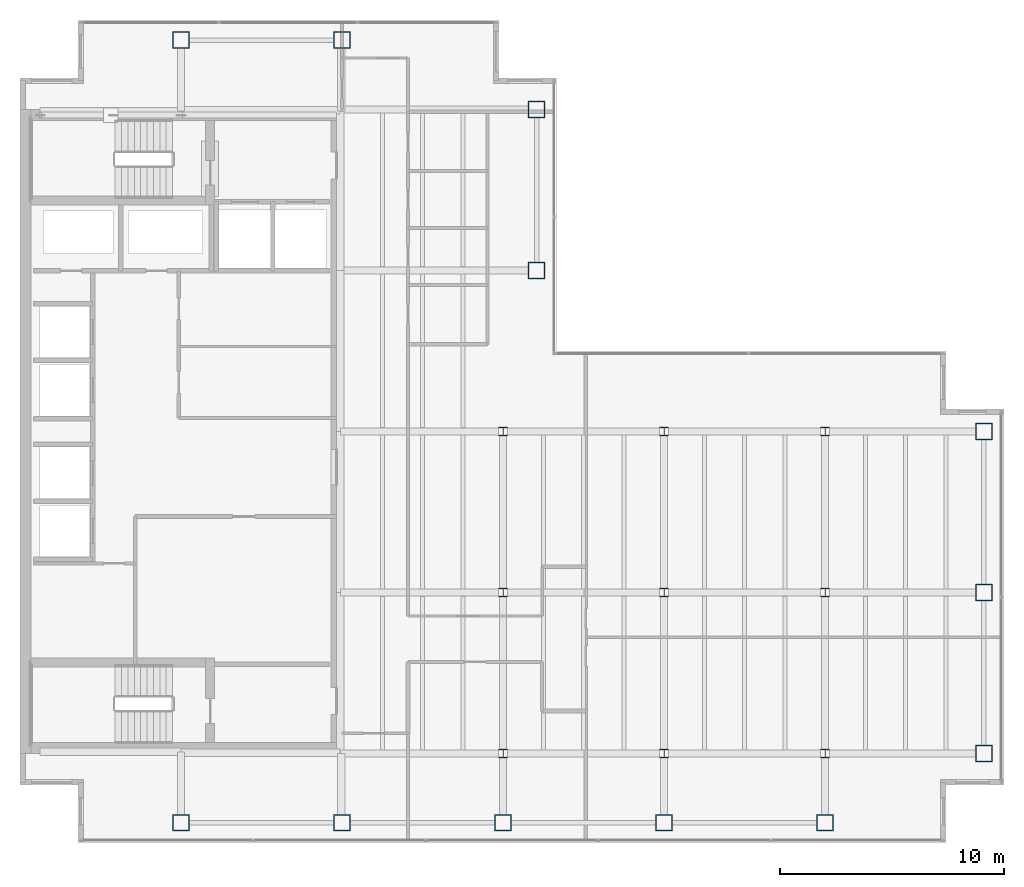
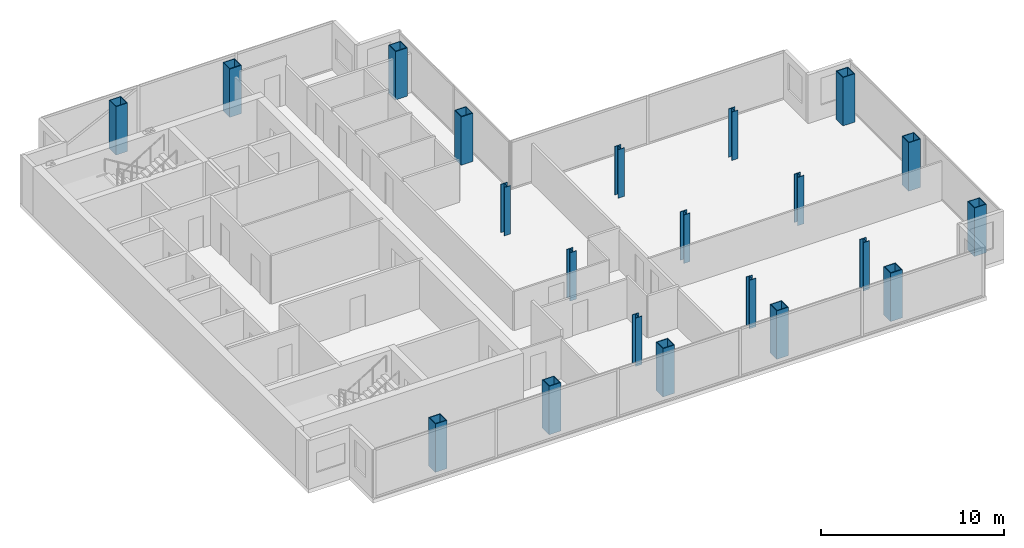
# One storey, part 1 of 23: 21 columns.
"""IFC4 building model written with IfcOpenShell, lengths in metres."""

from ifc_helpers import new_model, si_unit, direction, frame, origin, origin_2d, place, context, subcontext, project, spatial, hollow_rectangle, i_section, extrude, material, material_profile, profile_set, type_object, element, save


model = new_model("IFC4")

# Units and contexts
model_context = context("Model", 3, precision=1e-05, world=origin(), true_north=direction((0.0, 1.0)))
body_context = subcontext(model_context, "Body", "Model", "MODEL_VIEW")
ifc_project = project(units=[si_unit("LENGTHUNIT", "METRE"), si_unit("AREAUNIT", "SQUARE_METRE"), si_unit("VOLUMEUNIT", "CUBIC_METRE"), si_unit("PLANEANGLEUNIT", "RADIAN"), si_unit("MASSUNIT", "GRAM", prefix="KILO")], contexts=[model_context])

# Site, building, storey
site_placement = place(None, origin())
site = spatial("IfcSite", under=ifc_project, at=site_placement, CompositionType="ELEMENT")
building_placement = place(site_placement, origin())
building = spatial("IfcBuilding", under=site, at=building_placement, Name="Cobrela Telecom Tower", CompositionType="ELEMENT")
storey_placement = place(building_placement, frame((0.0, 0.0, 204.75)))
storey = spatial("IfcBuildingStorey", under=building, at=storey_placement, Name="L52", CompositionType="ELEMENT", Elevation=204.75)

# Columns
ifc_material_1 = material(Name="Steel ASTM A992 Grade 50", Category="steel")
ifc_material_profile_1 = material_profile(ifc_material_1, i_section(OverallWidth=0.39892578125, OverallDepth=0.39404296875, WebThickness=0.022705078125, FlangeThickness=0.03662109375, FilletRadius=0.01806640625, at=origin_2d()), Name="W14X193")
ifc_profile_set_1 = profile_set([ifc_material_profile_1], Name="Steel ASTM A992 Grade 50")
column_type_1 = type_object("IfcColumnType", Name="COL-INT-06", PredefinedType="COLUMN", material=ifc_profile_set_1)
for number, where, z_axis, x_axis, name in (
    (1, (21.60009765625, 7.199951171875, 0.0), (0.0, 0.0, 1.0), (1.0, 0.0, 0.0), "L52 Interior Column 06"),
    (2, (21.60009765625, 14.39990234375, 0.0), (0.0, 0.0, 1.0), (1.0, 0.0, 0.0), "L52 Interior Column 07"),
    (3, (21.60009765625, 21.60009765625, 0.0), (0.0, 0.0, 1.0), (1.0, 0.0, 0.0), "L52 Interior Column 08"),
    (4, (28.800048828125, 7.199951171875, 0.0), (0.0, 0.0, 1.0), (1.0, 0.0, 0.0), "L52 Interior Column 12"),
    (5, (28.800048828125, 14.39990234375, 0.0), (0.0, 0.0, 1.0), (1.0, 0.0, 0.0), "L52 Interior Column 13"),
    (6, (28.800048828125, 21.60009765625, 0.0), (0.0, 0.0, 1.0), (1.0, 0.0, 0.0), "L52 Interior Column 14"),
    (7, (36.0, 7.199951171875, 0.0), (0.0, 0.0, 1.0), (1.0, 0.0, 0.0), "L52 Interior Column 16"),
    (8, (36.0, 14.39990234375, 0.0), (0.0, 0.0, 1.0), (1.0, 0.0, 0.0), "L52 Interior Column 17"),
    (9, (36.0, 21.60009765625, 0.0), (0.0, 0.0, 1.0), (1.0, 0.0, 0.0), "L52 Interior Column 18"),
):
    element("IfcColumn", number, at=place(storey_placement, frame(where, z_axis=z_axis, x_axis=x_axis)), inside=storey, type_object=column_type_1, Name=name, PredefinedType="COLUMN", context=body_context, shape_type="SweptSolid", body=[
        extrude(i_section(OverallWidth=0.39892578125, OverallDepth=0.39404296875, WebThickness=0.022705078125, FlangeThickness=0.03662109375, FilletRadius=0.01806640625, at=origin_2d()), origin(), (0.0, 0.0, 1.0), 3.239990234375),
    ])
ifc_material_2 = material(Name="Steel ASTM A572 Grade 50", Category="steel")
ifc_material_profile_2 = material_profile(ifc_material_2, hollow_rectangle(XDim=0.75, YDim=0.75, WallThickness=0.044921875, at=origin_2d()), Name="BOX 750x750x45")
ifc_profile_set_2 = profile_set([ifc_material_profile_2], Name="Steel ASTM A572 Grade 50")
column_type_2 = type_object("IfcColumnType", Name="COL-MEGA-08", PredefinedType="COLUMN", material=ifc_profile_set_2)
for number, where, z_axis, x_axis, name in (
    (10, (7.199951171875, 4.10009765625, 0.0), (0.0, 0.0, 1.0), (1.0, 0.0, 0.0), "L52 Perimeter Mega-Column 01"),
    (11, (7.199951171875, 39.10009765625, 0.0), (0.0, 0.0, 1.0), (1.0, 0.0, 0.0), "L52 Perimeter Mega-Column 02"),
    (12, (14.39990234375, 4.10009765625, 0.0), (0.0, 0.0, 1.0), (1.0, 0.0, 0.0), "L52 Perimeter Mega-Column 03"),
    (13, (14.39990234375, 39.10009765625, 0.0), (0.0, 0.0, 1.0), (1.0, 0.0, 0.0), "L52 Perimeter Mega-Column 04"),
    (14, (21.60009765625, 4.10009765625, 0.0), (0.0, 0.0, 1.0), (1.0, 0.0, 0.0), "L52 Perimeter Mega-Column 05"),
    (15, (23.10009765625, 28.800048828125, 0.0), (0.0, 0.0, 1.0), (1.0, 0.0, 0.0), "L52 Perimeter Mega-Column 09"),
    (16, (23.10009765625, 36.0, 0.0), (0.0, 0.0, 1.0), (1.0, 0.0, 0.0), "L52 Perimeter Mega-Column 10"),
    (17, (28.800048828125, 4.10009765625, 0.0), (0.0, 0.0, 1.0), (1.0, 0.0, 0.0), "L52 Perimeter Mega-Column 11"),
    (18, (36.0, 4.10009765625, 0.0), (0.0, 0.0, 1.0), (1.0, 0.0, 0.0), "L52 Perimeter Mega-Column 15"),
    (19, (43.10009765625, 7.199951171875, 0.0), (0.0, 0.0, 1.0), (1.0, 0.0, 0.0), "L52 Perimeter Mega-Column 19"),
    (20, (43.10009765625, 14.39990234375, 0.0), (0.0, 0.0, 1.0), (1.0, 0.0, 0.0), "L52 Perimeter Mega-Column 20"),
    (21, (43.10009765625, 21.60009765625, 0.0), (0.0, 0.0, 1.0), (1.0, 0.0, 0.0), "L52 Perimeter Mega-Column 21"),
):
    element("IfcColumn", number, at=place(storey_placement, frame(where, z_axis=z_axis, x_axis=x_axis)), inside=storey, type_object=column_type_2, Name=name, PredefinedType="COLUMN", context=body_context, shape_type="SweptSolid", body=[
        extrude(hollow_rectangle(XDim=0.75, YDim=0.75, WallThickness=0.044921875, at=origin_2d()), origin(), (0.0, 0.0, 1.0), 3.239990234375),
    ])

save(model, "model.ifc")
